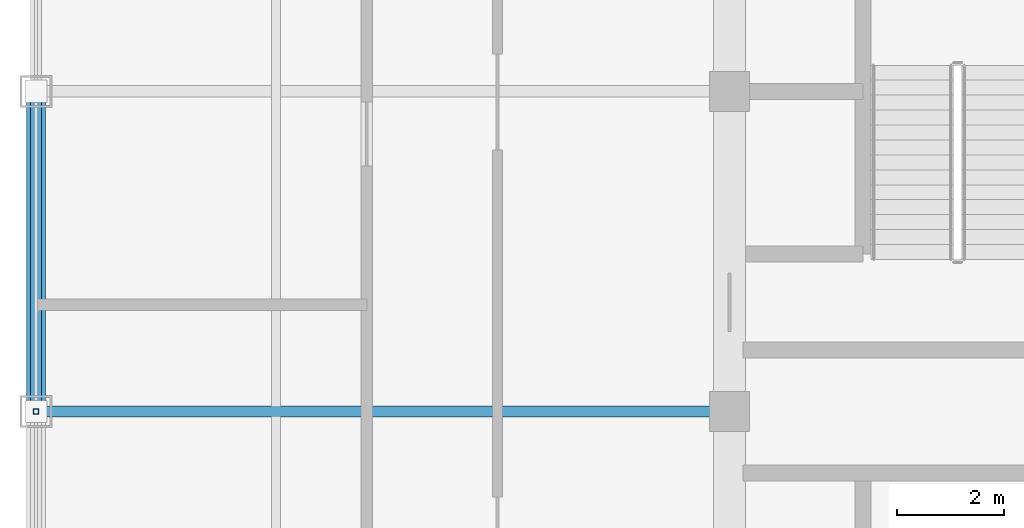
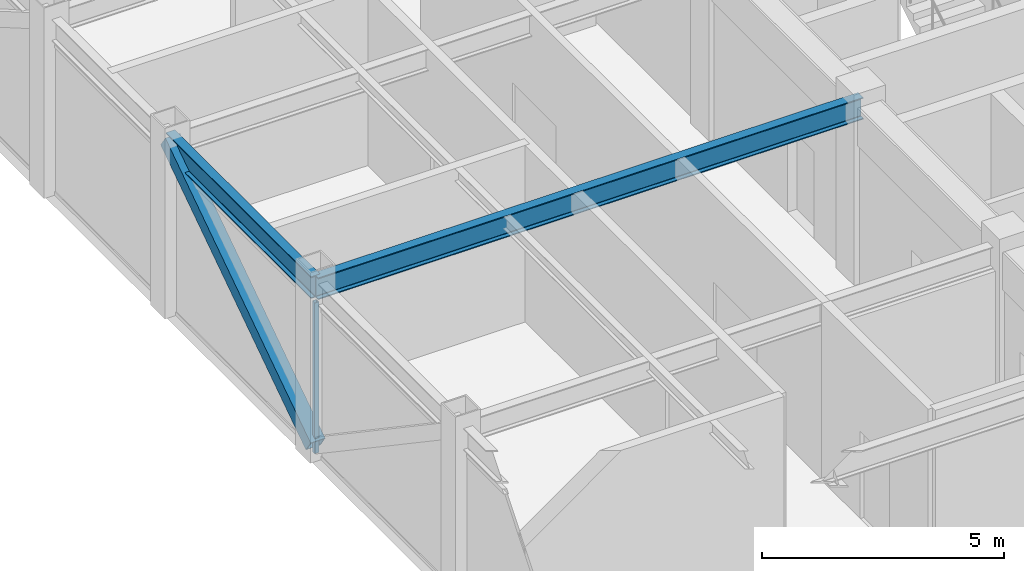
# One storey, part 6 of 27: 2 beams, 2 members, 1 element without a shape of its own.
"""IFC4 building model written with IfcOpenShell, lengths in metres."""

from ifc_helpers import new_model, si_unit, direction, frame, origin, origin_2d, place, context, subcontext, project, spatial, hollow_rectangle, i_section, extrude, source, transform, mapped, material, material_profile, profile_set, type_object, element, aggregate, save


model = new_model("IFC4")

# Units and contexts
model_context = context("Model", 3, precision=1e-05, world=origin(), true_north=direction((0.0, 1.0)))
body_context = subcontext(model_context, "Body", "Model", "MODEL_VIEW")
ifc_project = project(units=[si_unit("LENGTHUNIT", "METRE"), si_unit("AREAUNIT", "SQUARE_METRE"), si_unit("VOLUMEUNIT", "CUBIC_METRE"), si_unit("PLANEANGLEUNIT", "RADIAN"), si_unit("MASSUNIT", "GRAM", prefix="KILO")], contexts=[model_context])

# Site, building, storey
site_placement = place(None, origin())
site = spatial("IfcSite", under=ifc_project, at=site_placement, CompositionType="ELEMENT")
building_placement = place(site_placement, origin())
building = spatial("IfcBuilding", under=site, at=building_placement, Name="Khorayat Bourse Tower", CompositionType="ELEMENT")
storey_placement = place(building_placement, frame((0.0, 0.0, 385.10009765625)))
storey = spatial("IfcBuildingStorey", under=building, at=storey_placement, Name="L91", CompositionType="ELEMENT", Elevation=385.10009765625)

# Beams
ifc_material_1 = material(Name="Steel ASTM A992 Grade 50", Category="steel")
ifc_material_profile_1 = material_profile(ifc_material_1, i_section(OverallWidth=0.214111328125, OverallDepth=0.549072265625, WebThickness=0.0146484375, FlangeThickness=0.023681640625, FilletRadius=0.013916015625, at=origin_2d()), Name="W530X138")
ifc_profile_set_1 = profile_set([ifc_material_profile_1], Name="Steel ASTM A992 Grade 50")
beam_type_1 = type_object("IfcBeamType", Name="BM-SPAN-530", PredefinedType="SPANDREL", material=ifc_profile_set_1)
shared_shape_1 = source(origin(), body_context, "Body", "SweptSolid", [
    extrude(i_section(OverallWidth=0.214111328125, OverallDepth=0.549072265625, WebThickness=0.0146484375, FlangeThickness=0.023681640625, FilletRadius=0.013916015625, at=origin_2d()), origin(), (0.0, 0.0, 1.0), 6.0),
])
beam_1_placement = place(storey_placement, frame((-24.0, 0.0, 4.17529296875), z_axis=(0.0, 1.0, 0.0), x_axis=(-1.0, 0.0, 0.0)))
element("IfcBeam", 1, at=beam_1_placement, inside=storey, type_object=beam_type_1, Name="L91 BM-SPAN-530 BM-L91-SPN-050", PredefinedType="SPANDREL", context=body_context, shape_type="MappedRepresentation", body=[
    mapped(shared_shape_1, transform((0.0, 0.0, 0.0), scale=1.0)),
])
ifc_material_profile_2 = material_profile(ifc_material_1, i_section(OverallWidth=0.214111328125, OverallDepth=0.549072265625, WebThickness=0.0146484375, FlangeThickness=0.023681640625, FilletRadius=0.013916015625, at=origin_2d()), Name="W530X138")
ifc_profile_set_2 = profile_set([ifc_material_profile_2], Name="Steel ASTM A992 Grade 50")
beam_type_2 = type_object("IfcBeamType", Name="BM-GIRD-530", PredefinedType="BEAM", material=ifc_profile_set_2)
shared_shape_2 = source(origin(), body_context, "Body", "SweptSolid", [
    extrude(i_section(OverallWidth=0.214111328125, OverallDepth=0.549072265625, WebThickness=0.0146484375, FlangeThickness=0.023681640625, FilletRadius=0.013916015625, at=origin_2d()), origin(), (0.0, 0.0, 1.0), 13.0),
])
beam_2_placement = place(storey_placement, frame((-24.0, 0.0, 4.17529296875), z_axis=(1.0, 0.0, 0.0), x_axis=(0.0, 1.0, 0.0)))
element("IfcBeam", 2, at=beam_2_placement, inside=storey, type_object=beam_type_2, Name="L91 BM-GIRD-530 BM-L91-RADX-071", PredefinedType="BEAM", context=body_context, shape_type="MappedRepresentation", body=[
    mapped(shared_shape_2, transform((0.0, 0.0, 0.0), scale=1.0)),
])

# Member
ifc_material_2 = material(Name="Steel EN 10025-2 S355J2", Category="steel")
ifc_material_profile_3 = material_profile(ifc_material_2, hollow_rectangle(XDim=0.35009765625, YDim=0.35009765625, WallThickness=0.02001953125, at=origin_2d()), Name="HSS 350x350x20")
ifc_profile_set_3 = profile_set([ifc_material_profile_3], Name="Steel EN 10025-2 S355J2")
member_type_1 = type_object("IfcMemberType", Name="MBR-CROWN-350", PredefinedType="USERDEFINED", material=ifc_profile_set_3)
shared_shape_3 = source(origin(), body_context, "Body", "SweptSolid", [
    extrude(hollow_rectangle(XDim=0.35009765625, YDim=0.35009765625, WallThickness=0.02001953125, at=origin_2d()), origin(), (0.0, 0.0, 1.0), 7.239013671875),
])
member_1_placement = place(storey_placement, frame((-24.0, 0.0, 0.199951171875), z_axis=(0.0, 0.828845546207, 0.559477488852), x_axis=(-1.0, 0.0, 0.0)))
element("IfcMember", 3, at=member_1_placement, inside=storey, type_object=member_type_1, Name="L91 Lantern Crown Frame Member 11", ObjectType="CROWN FRAME", PredefinedType="USERDEFINED", context=body_context, shape_type="MappedRepresentation", body=[
    mapped(shared_shape_3, transform((0.0, 0.0, 0.0), scale=1.0)),
])

# Curtain wall, member
ifc_material_3 = material(Name="Aluminium EN AW-6063 T6", Category="aluminium")
curtain_wall_type = type_object("IfcCurtainWallType", Name="CW-SYS-07", PredefinedType="NOTDEFINED", material=ifc_material_3)
curtain_wall_placement = place(storey_placement, origin())
curtain_wall = element("IfcCurtainWall", 4, at=curtain_wall_placement, inside=storey, type_object=curtain_wall_type, Name="L91 Curtain Wall CW-L91-W1", PredefinedType="NOTDEFINED")
ifc_material_profile_4 = material_profile(ifc_material_3, hollow_rectangle(XDim=0.10009765625, YDim=0.10009765625, WallThickness=0.0048828125, at=origin_2d()), Name="ALU 100x100x5")
ifc_profile_set_4 = profile_set([ifc_material_profile_4], Name="Aluminium EN AW-6063 T6")
member_type_2 = type_object("IfcMemberType", Name="CWM-LANTERN-100", PredefinedType="MULLION", material=ifc_profile_set_4)
shared_shape_4 = source(origin(), body_context, "Body", "SweptSolid", [
    extrude(hollow_rectangle(XDim=0.10009765625, YDim=0.10009765625, WallThickness=0.0048828125, at=origin_2d()), origin(), (0.0, 0.0, 1.0), 3.7998046875),
])
member_2_placement = place(storey_placement, frame((-24.0, 0.0, 0.0), z_axis=(0.0, 0.0, 1.0), x_axis=(-1.0, 0.0, 0.0)))
member_2 = element("IfcMember", 5, at=member_2_placement, type_object=member_type_2, Name="CW-L91-W1 Vertical Mullion 2", PredefinedType="MULLION", context=body_context, shape_type="MappedRepresentation", body=[
    mapped(shared_shape_4, transform((0.0, 0.0, 0.0), scale=1.0)),
])
aggregate(curtain_wall, [member_2])

save(model, "model.ifc")
